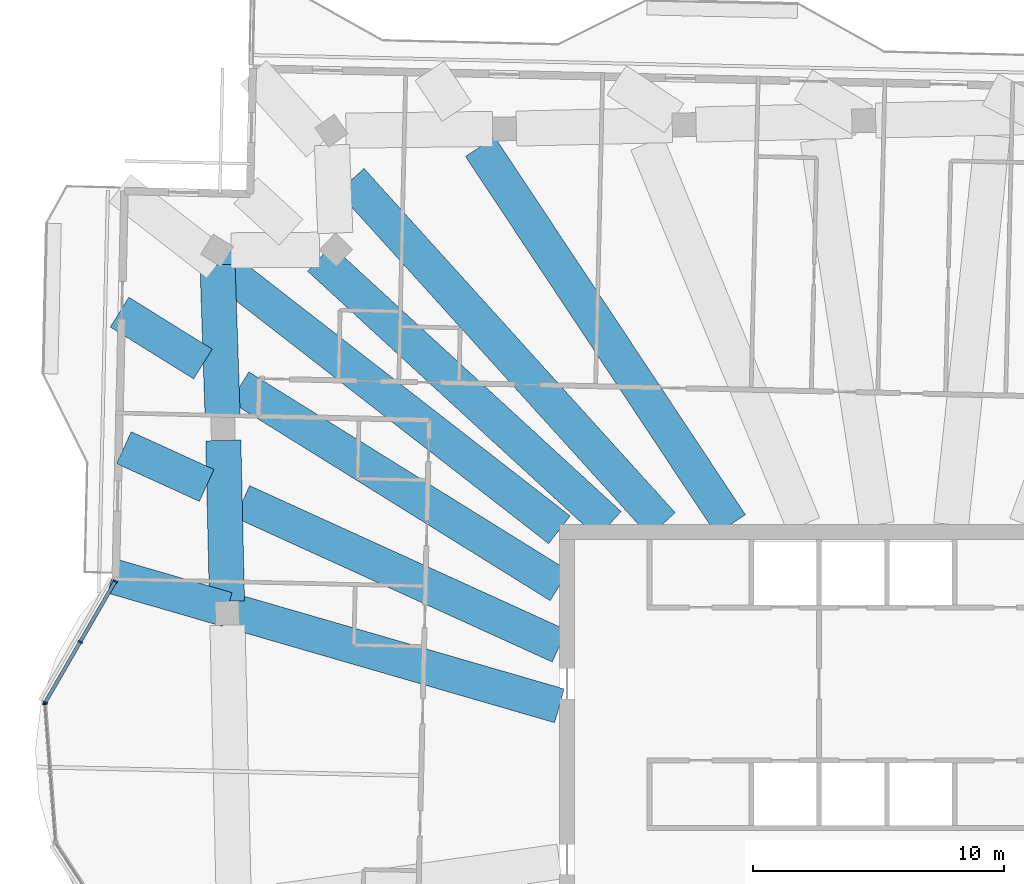
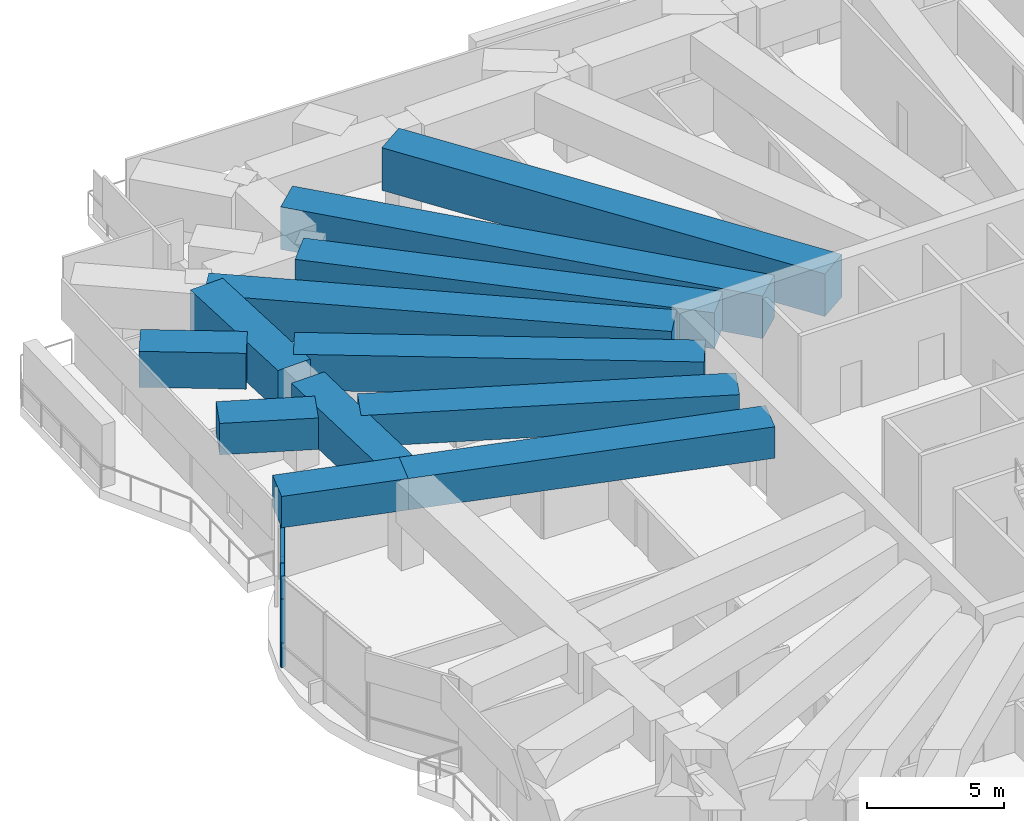
# One storey, part 4 of 20: 12 beams, 8 members, 2 elements without a shape of their own.
"""IFC4 building model written with IfcOpenShell, lengths in metres."""

from ifc_helpers import new_model, si_unit, direction, frame, origin, origin_2d, place, context, subcontext, project, spatial, rectangle, extrude, material, material_profile, profile_set, type_object, element, aggregate, save


model = new_model("IFC4")

# Units and contexts
model_context = context("Model", 3, precision=1e-05, world=origin(), true_north=direction((0.0, 1.0)))
body_context = subcontext(model_context, "Body", "Model", "MODEL_VIEW")
ifc_project = project(units=[si_unit("LENGTHUNIT", "METRE"), si_unit("AREAUNIT", "SQUARE_METRE"), si_unit("VOLUMEUNIT", "CUBIC_METRE"), si_unit("PLANEANGLEUNIT", "RADIAN"), si_unit("MASSUNIT", "GRAM", prefix="KILO")], contexts=[model_context])

# Site, building, storey
site_placement = place(None, origin())
site = spatial("IfcSite", under=ifc_project, at=site_placement, CompositionType="ELEMENT")
building_placement = place(site_placement, origin())
building = spatial("IfcBuilding", under=site, at=building_placement, Name="Mangrove Gate Tower", CompositionType="ELEMENT")
storey_placement = place(building_placement, frame((0.0, 0.0, 301.5)))
storey = spatial("IfcBuildingStorey", under=building, at=storey_placement, Name="L77", CompositionType="ELEMENT", Elevation=301.5)

# Curtain wall, members
ifc_material_1 = material(Name="Aluminium and glass curtain wall", Category="aluminium")
curtain_wall_type = type_object("IfcCurtainWallType", Name="Sky-lounge glazing wall", PredefinedType="NOTDEFINED", material=ifc_material_1)
curtain_wall_1_placement = place(storey_placement, origin())
curtain_wall_1 = element("IfcCurtainWall", 1, at=curtain_wall_1_placement, inside=storey, type_object=curtain_wall_type, Name="Sky-lounge glazing W9f1", PredefinedType="NOTDEFINED")
ifc_material_2 = material(Name="Aluminium alloy 6063-T6", Category="aluminium")
ifc_material_profile_1 = material_profile(ifc_material_2, rectangle(XDim=0.06005859375, YDim=0.179931640625, at=origin_2d()))
ifc_profile_set_1 = profile_set([ifc_material_profile_1], Name="Aluminium alloy 6063-T6")
member_type_1 = type_object("IfcMemberType", Name="Sky-lounge glazing mullion 60x180", PredefinedType="MULLION", material=ifc_profile_set_1)
member_1_placement = place(storey_placement, frame((-32.102294921875, 9.138427734375, 0.0), z_axis=(0.0, 0.0, 1.0), x_axis=(-0.500418160359, -0.865783844145, 0.0)))
member_1 = element("IfcMember", 2, at=member_1_placement, type_object=member_type_1, Name="CWK mullion 1", PredefinedType="MULLION", context=body_context, shape_type="SweptSolid", body=[
    extrude(rectangle(XDim=0.06005859375, YDim=0.179931640625, at=origin_2d()), origin(), (0.0, 0.0, 1.0), 2.64990234375),
])
member_2_placement = place(storey_placement, frame((-33.4990234375, 6.721923828125, 0.0), z_axis=(0.0, 0.0, 1.0), x_axis=(-0.500418160359, -0.865783844145, 0.0)))
member_2 = element("IfcMember", 3, at=member_2_placement, type_object=member_type_1, Name="CWK mullion 2", PredefinedType="MULLION", context=body_context, shape_type="SweptSolid", body=[
    extrude(rectangle(XDim=0.06005859375, YDim=0.179931640625, at=origin_2d()), origin(), (0.0, 0.0, 1.0), 2.64990234375),
])
member_3_placement = place(storey_placement, frame((-34.8955078125, 4.3056640625, 0.0), z_axis=(0.0, 0.0, 1.0), x_axis=(-0.500418160359, -0.865783844145, 0.0)))
member_3 = element("IfcMember", 4, at=member_3_placement, type_object=member_type_1, Name="CWK mullion 3", PredefinedType="MULLION", context=body_context, shape_type="SweptSolid", body=[
    extrude(rectangle(XDim=0.06005859375, YDim=0.179931640625, at=origin_2d()), origin(), (0.0, 0.0, 1.0), 2.64990234375),
])

# Curtain wall, member
curtain_wall_2_placement = place(storey_placement, origin())
curtain_wall_2 = element("IfcCurtainWall", 5, at=curtain_wall_2_placement, inside=storey, type_object=curtain_wall_type, Name="Sky-lounge glazing W9f2", PredefinedType="NOTDEFINED")
member_4_placement = place(storey_placement, frame((-34.908203125, 4.249755859375, 0.0), z_axis=(0.0, 0.0, 1.0), x_axis=(0.077023348212, -0.997029289354, 0.0)))
member_4 = element("IfcMember", 6, at=member_4_placement, type_object=member_type_1, Name="CWK mullion 1", PredefinedType="MULLION", context=body_context, shape_type="SweptSolid", body=[
    extrude(rectangle(XDim=0.06005859375, YDim=0.179931640625, at=origin_2d()), origin(), (0.0, 0.0, 1.0), 4.050048828125),
])
aggregate(curtain_wall_2, [member_4])

# Member
ifc_material_3 = material(Name="Aluminium alloy 6063-T6", Category="aluminium")
ifc_material_profile_2 = material_profile(ifc_material_3, rectangle(XDim=0.06005859375, YDim=0.139892578125, at=origin_2d()))
ifc_profile_set_2 = profile_set([ifc_material_profile_2], Name="Aluminium alloy 6063-T6")
member_type_2 = type_object("IfcMemberType", Name="Sky-lounge glazing transom 60x140", PredefinedType="USERDEFINED", material=ifc_profile_set_2)
member_5_placement = place(storey_placement, frame((-32.117431640625, 9.1123046875, 1.0), z_axis=(-0.500398244711, -0.865795354972, 0.0), x_axis=(0.0, 0.0, 1.0)))
member_5 = element("IfcMember", 7, at=member_5_placement, type_object=member_type_2, Name="CWK transom 1.2", ObjectType="TRANSOM", PredefinedType="USERDEFINED", context=body_context, shape_type="SweptSolid", body=[
    extrude(rectangle(XDim=0.06005859375, YDim=0.139892578125, at=origin_2d()), origin(), (0.0, 0.0, 1.0), 2.730712890625),
])

member_6_placement = place(storey_placement, frame((-32.117431640625, 9.1123046875, 2.6201171875), z_axis=(-0.500398244711, -0.865795354972, 0.0), x_axis=(0.0, 0.0, 1.0)))
member_6 = element("IfcMember", 8, at=member_6_placement, type_object=member_type_2, Name="CWK transom 1.3", ObjectType="TRANSOM", PredefinedType="USERDEFINED", context=body_context, shape_type="SweptSolid", body=[
    extrude(rectangle(XDim=0.06005859375, YDim=0.139892578125, at=origin_2d()), origin(), (0.0, 0.0, 1.0), 2.730712890625),
])

member_7_placement = place(storey_placement, frame((-33.513916015625, 6.696044921875, 1.0), z_axis=(-0.500465258138, -0.865756620187, 0.0), x_axis=(0.0, 0.0, 1.0)))
member_7 = element("IfcMember", 9, at=member_7_placement, type_object=member_type_2, Name="CWK transom 2.2", ObjectType="TRANSOM", PredefinedType="USERDEFINED", context=body_context, shape_type="SweptSolid", body=[
    extrude(rectangle(XDim=0.06005859375, YDim=0.139892578125, at=origin_2d()), origin(), (0.0, 0.0, 1.0), 2.73095703125),
])

member_8_placement = place(storey_placement, frame((-33.513916015625, 6.696044921875, 2.6201171875), z_axis=(-0.500465258138, -0.865756620187, 0.0), x_axis=(0.0, 0.0, 1.0)))
member_8 = element("IfcMember", 10, at=member_8_placement, type_object=member_type_2, Name="CWK transom 2.3", ObjectType="TRANSOM", PredefinedType="USERDEFINED", context=body_context, shape_type="SweptSolid", body=[
    extrude(rectangle(XDim=0.06005859375, YDim=0.139892578125, at=origin_2d()), origin(), (0.0, 0.0, 1.0), 2.73095703125),
])

aggregate(curtain_wall_1, [member_1, member_2, member_3, member_5, member_6, member_7, member_8])

# Beams
ifc_material_4 = material(Name="Concrete C50/60", Category="concrete")
ifc_material_profile_3 = material_profile(ifc_material_4, rectangle(XDim=1.39990234375, YDim=1.39990234375, at=origin_2d()))
ifc_profile_set_3 = profile_set([ifc_material_profile_3], Name="Concrete C50/60")
beam_type_1 = type_object("IfcBeamType", Name="Transfer girder RC 1400x1400 C50/60", PredefinedType="BEAM", material=ifc_profile_set_3)
beam_1_placement = place(storey_placement, frame((-14.39990234375, 6.556396484375, 3.35009765625), z_axis=(-0.910106223002, 0.414375026821, 0.0), x_axis=(-0.414375026821, -0.910106223002, 0.0)))
element("IfcBeam", 11, at=beam_1_placement, inside=storey, type_object=beam_type_1, Name="Transfer girder L77 34", PredefinedType="BEAM", context=body_context, shape_type="SweptSolid", body=[
    extrude(rectangle(XDim=1.39990234375, YDim=1.39990234375, at=origin_2d()), origin(), (0.0, 0.0, 1.0), 13.88818359375),
])
beam_2_placement = place(storey_placement, frame((-28.459228515625, 12.957763671875, 3.35009765625), z_axis=(-0.91010340951, 0.414381206135, 0.0), x_axis=(-0.414381206135, -0.91010340951, 0.0)))
element("IfcBeam", 12, at=beam_2_placement, inside=storey, type_object=beam_type_1, Name="Transfer cantilever girder L77 34", PredefinedType="BEAM", context=body_context, shape_type="SweptSolid", body=[
    extrude(rectangle(XDim=1.39990234375, YDim=1.39990234375, at=origin_2d()), origin(), (0.0, 0.0, 1.0), 3.625732421875),
])
beam_3_placement = place(storey_placement, frame((-14.39990234375, 4.173095703125, 3.35009765625), z_axis=(-0.960478852046, 0.278352967961, 0.0), x_axis=(-0.278352967961, -0.960478852046, 0.0)))
element("IfcBeam", 13, at=beam_3_placement, inside=storey, type_object=beam_type_1, Name="Transfer girder L77 35", PredefinedType="BEAM", context=body_context, shape_type="SweptSolid", body=[
    extrude(rectangle(XDim=1.39990234375, YDim=1.39990234375, at=origin_2d()), origin(), (0.0, 0.0, 1.0), 13.78955078125),
])
beam_4_placement = place(storey_placement, frame((-27.64453125, 8.011474609375, 3.35009765625), z_axis=(-0.960468352835, 0.27838919376, 0.0), x_axis=(-0.27838919376, -0.960468352835, 0.0)))
element("IfcBeam", 14, at=beam_4_placement, inside=storey, type_object=beam_type_1, Name="Transfer cantilever girder L77 35", PredefinedType="BEAM", context=body_context, shape_type="SweptSolid", body=[
    extrude(rectangle(XDim=1.39990234375, YDim=1.39990234375, at=origin_2d()), origin(), (0.0, 0.0, 1.0), 4.761962890625),
])
ifc_material_5 = material(Name="Concrete C50/60", Category="concrete")
ifc_material_profile_4 = material_profile(ifc_material_5, rectangle(XDim=1.39990234375, YDim=1.60009765625, at=origin_2d()))
ifc_profile_set_4 = profile_set([ifc_material_profile_4], Name="Concrete C50/60")
beam_type_2 = type_object("IfcBeamType", Name="Transfer girder RC 1400x1600 C50/60", PredefinedType="BEAM", material=ifc_profile_set_4)
beam_5_placement = place(storey_placement, frame((-12.41259765625, 11.39990234375, 3.25), z_axis=(-0.736494122119, 0.676443943047, 0.0), x_axis=(-0.676443943047, -0.736494122119, 0.0)))
element("IfcBeam", 15, at=beam_5_placement, inside=storey, type_object=beam_type_2, Name="Transfer girder L77 31", PredefinedType="BEAM", context=body_context, shape_type="SweptSolid", body=[
    extrude(rectangle(XDim=1.39990234375, YDim=1.60009765625, at=origin_2d()), origin(), (0.0, 0.0, 1.0), 15.68505859375),
])
beam_6_placement = place(storey_placement, frame((-14.39990234375, 8.95751953125, 3.25), z_axis=(-0.849125482439, 0.528191172847, 0.0), x_axis=(-0.528191172847, -0.849125482439, 0.0)))
element("IfcBeam", 16, at=beam_6_placement, inside=storey, type_object=beam_type_2, Name="Transfer girder L77 33", PredefinedType="BEAM", context=body_context, shape_type="SweptSolid", body=[
    extrude(rectangle(XDim=1.39990234375, YDim=1.60009765625, at=origin_2d()), origin(), (0.0, 0.0, 1.0), 15.014404296875),
])
beam_7_placement = place(storey_placement, frame((-28.609375, 17.796630859375, 3.25), z_axis=(-0.849125005536, 0.52819193952, 0.0), x_axis=(-0.52819193952, -0.849125005536, 0.0)))
element("IfcBeam", 17, at=beam_7_placement, inside=storey, type_object=beam_type_2, Name="Transfer cantilever girder L77 33", PredefinedType="BEAM", context=body_context, shape_type="SweptSolid", body=[
    extrude(rectangle(XDim=1.39990234375, YDim=1.60009765625, at=origin_2d()), origin(), (0.0, 0.0, 1.0), 3.9130859375),
])
ifc_material_6 = material(Name="Concrete C50/60", Category="concrete")
ifc_material_profile_5 = material_profile(ifc_material_6, rectangle(XDim=1.39990234375, YDim=1.800048828125, at=origin_2d()))
ifc_profile_set_5 = profile_set([ifc_material_profile_5], Name="Concrete C50/60")
beam_type_3 = type_object("IfcBeamType", Name="Transfer girder RC 1400x1800 C50/60", PredefinedType="BEAM", material=ifc_profile_set_5)
beam_8_placement = place(storey_placement, frame((-28.027099609375, 21.7529296875, 3.14990234375), z_axis=(0.033530874291, -0.999437682134, 0.0), x_axis=(0.999437682134, 0.033530874291, 0.0)))
element("IfcBeam", 18, at=beam_8_placement, inside=storey, type_object=beam_type_3, Name="Transfer ring girder L77 31", PredefinedType="BEAM", context=body_context, shape_type="SweptSolid", body=[
    extrude(rectangle(XDim=1.39990234375, YDim=1.800048828125, at=origin_2d()), origin(), (0.0, 0.0, 1.0), 6.057861328125),
])
beam_9_placement = place(storey_placement, frame((-27.79736328125, 14.748779296875, 3.14990234375), z_axis=(0.022693727478, -0.999742464204, 0.0), x_axis=(0.999742464204, 0.022693727478, 0.0)))
element("IfcBeam", 19, at=beam_9_placement, inside=storey, type_object=beam_type_3, Name="Transfer ring girder L77 32", PredefinedType="BEAM", context=body_context, shape_type="SweptSolid", body=[
    extrude(rectangle(XDim=1.39990234375, YDim=1.800048828125, at=origin_2d()), origin(), (0.0, 0.0, 1.0), 6.411865234375),
])
beam_10_placement = place(storey_placement, frame((-14.39990234375, 11.18798828125, 3.14990234375), z_axis=(-0.789664429124, 0.613538987658, 0.0), x_axis=(-0.613538987658, -0.789664429124, 0.0)))
element("IfcBeam", 20, at=beam_10_placement, inside=storey, type_object=beam_type_3, Name="Transfer girder L77 32", PredefinedType="BEAM", context=body_context, shape_type="SweptSolid", body=[
    extrude(rectangle(XDim=1.39990234375, YDim=1.800048828125, at=origin_2d()), origin(), (0.0, 0.0, 1.0), 17.2578125),
])
ifc_material_7 = material(Name="Concrete C50/60", Category="concrete")
ifc_material_profile_6 = material_profile(ifc_material_7, rectangle(XDim=1.39990234375, YDim=1.89990234375, at=origin_2d()))
ifc_profile_set_6 = profile_set([ifc_material_profile_6], Name="Concrete C50/60")
beam_type_4 = type_object("IfcBeamType", Name="Transfer girder RC 1400x1900 C50/60", PredefinedType="BEAM", material=ifc_profile_set_6)
beam_11_placement = place(storey_placement, frame((-7.56787109375, 11.39990234375, 3.10009765625), z_axis=(-0.55307146362, 0.83313381646, 0.0), x_axis=(-0.83313381646, -0.55307146362, 0.0)))
element("IfcBeam", 21, at=beam_11_placement, inside=storey, type_object=beam_type_4, Name="Transfer girder L77 29", PredefinedType="BEAM", context=body_context, shape_type="SweptSolid", body=[
    extrude(rectangle(XDim=1.39990234375, YDim=1.89990234375, at=origin_2d()), origin(), (0.0, 0.0, 1.0), 18.068603515625),
])
beam_12_placement = place(storey_placement, frame((-10.303955078125, 11.39990234375, 3.10009765625), z_axis=(-0.670542044191, 0.741871529965, 0.0), x_axis=(-0.741871529965, -0.670542044191, 0.0)))
element("IfcBeam", 22, at=beam_12_placement, inside=storey, type_object=beam_type_4, Name="Transfer girder L77 30", PredefinedType="BEAM", context=body_context, shape_type="SweptSolid", body=[
    extrude(rectangle(XDim=1.39990234375, YDim=1.89990234375, at=origin_2d()), origin(), (0.0, 0.0, 1.0), 18.496337890625),
])

save(model, "model.ifc")
